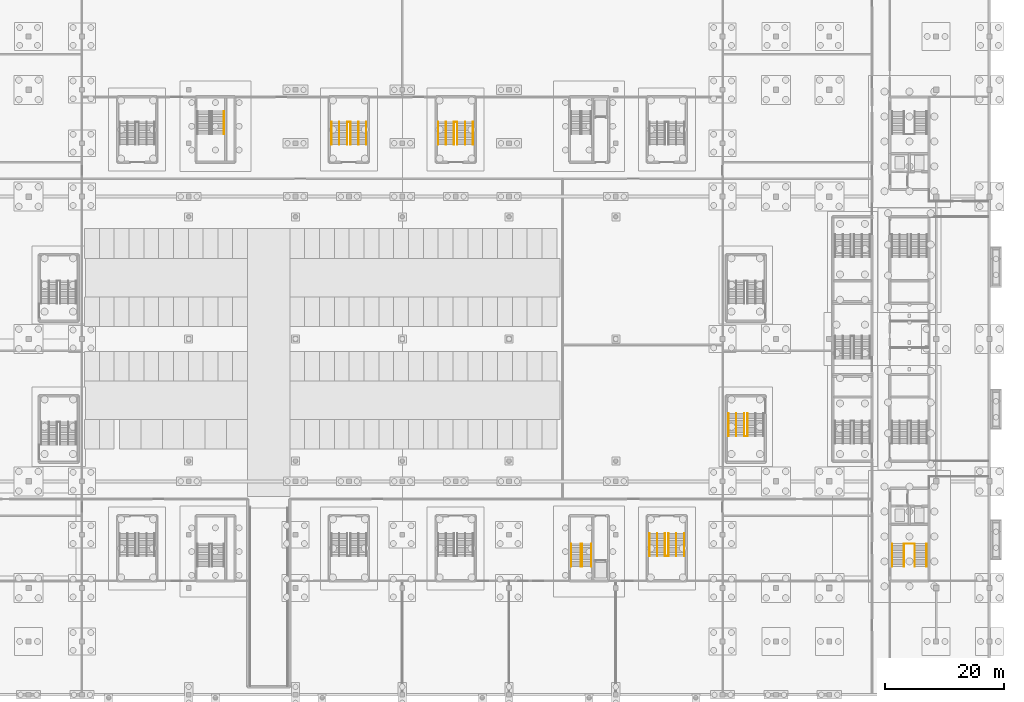
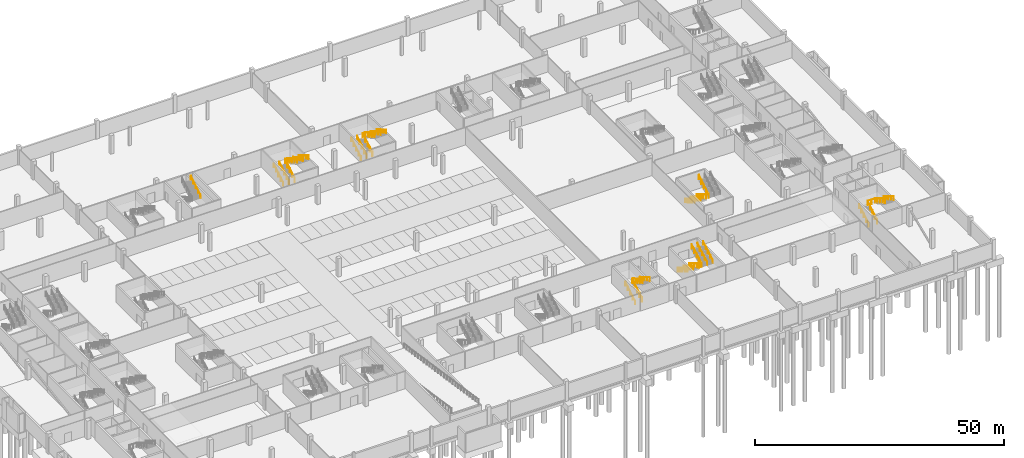
# One storey, part 42 of 46: 25 railings.
"""IFC4 building model written with IfcOpenShell, lengths in metres."""

from ifc_helpers import new_model, si_unit, direction, frame, origin, origin_2d, place, context, subcontext, project, spatial, circle, extrude, material, type_object, element, save


model = new_model("IFC4")

# Units and contexts
model_context = context("Model", 3, precision=1e-05, world=origin(), true_north=direction((0.0, 1.0)))
body_context = subcontext(model_context, "Body", "Model", "MODEL_VIEW")
ifc_project = project(units=[si_unit("LENGTHUNIT", "METRE"), si_unit("AREAUNIT", "SQUARE_METRE"), si_unit("VOLUMEUNIT", "CUBIC_METRE"), si_unit("PLANEANGLEUNIT", "RADIAN"), si_unit("MASSUNIT", "GRAM", prefix="KILO")], contexts=[model_context])

# Site, building, storey
site_placement = place(None, origin())
site = spatial("IfcSite", under=ifc_project, at=site_placement, CompositionType="ELEMENT")
building_placement = place(site_placement, origin())
building = spatial("IfcBuilding", under=site, at=building_placement, Name="Kisiwana Market Hall", CompositionType="ELEMENT")
storey_placement = place(building_placement, frame((0.0, 0.0, -4.5)))
storey = spatial("IfcBuildingStorey", under=building, at=storey_placement, Name="B1", CompositionType="ELEMENT", Elevation=-4.5)

# Railings
ifc_material_1 = material(Name="Steel S275", Category="steel")
railing_type_1 = type_object("IfcRailingType", Name="RL-GUARD-1100", PredefinedType="GUARDRAIL", material=ifc_material_1)
railing_1_placement = place(storey_placement, frame((183.60009765625, 21.6494140625, 0.0)))
element("IfcRailing", 1, at=railing_1_placement, inside=storey, type_object=railing_type_1, Name="Stair ST-E2-B1 inner-well guardrail (RL-019)", PredefinedType="GUARDRAIL", context=body_context, shape_type="SweptSolid", body=[
    extrude(circle(Radius=0.02392578125, at=origin_2d()), frame((0.0, 0.0, 1.076171875), z_axis=(0.0, 0.86252362769, 0.506016789916), x_axis=(-1.0, 0.0, 0.0)), (0.0, 0.0, 1.0), 4.446533203125),
    extrude(circle(Radius=0.02392578125, at=origin_2d()), frame((0.0, 3.835205078125, 3.326171875), z_axis=(1.0, 0.0, 0.0), x_axis=(0.0, 1.0, 0.0)), (0.0, 0.0, 1.0), 1.7998046875),
    extrude(circle(Radius=0.02392578125, at=origin_2d()), frame((1.7998046875, 3.835205078125, 3.326171875), z_axis=(0.0, -0.86252362769, 0.506016789916), x_axis=(1.0, 0.0, 0.0)), (0.0, 0.0, 1.0), 4.446533203125),
    extrude(circle(Radius=0.02099609375, at=origin_2d()), origin(), (0.0, 0.0, 1.0), 1.052001953125),
    extrude(circle(Radius=0.02099609375, at=origin_2d()), frame((0.0, 0.958740234375, 0.5625)), (0.0, 0.0, 1.0), 1.052001953125),
    extrude(circle(Radius=0.02099609375, at=origin_2d()), frame((0.0, 1.91748046875, 1.125)), (0.0, 0.0, 1.0), 1.052001953125),
    extrude(circle(Radius=0.02099609375, at=origin_2d()), frame((0.0, 2.87646484375, 1.6875)), (0.0, 0.0, 1.0), 1.052001953125),
    extrude(circle(Radius=0.02099609375, at=origin_2d()), frame((0.0, 3.835205078125, 2.25)), (0.0, 0.0, 1.0), 1.052001953125),
    extrude(circle(Radius=0.02099609375, at=origin_2d()), frame((0.89990234375, 3.835205078125, 2.25)), (0.0, 0.0, 1.0), 1.052001953125),
    extrude(circle(Radius=0.02099609375, at=origin_2d()), frame((1.7998046875, 3.835205078125, 2.25)), (0.0, 0.0, 1.0), 1.052001953125),
    extrude(circle(Radius=0.02099609375, at=origin_2d()), frame((1.7998046875, 2.87646484375, 2.8125)), (0.0, 0.0, 1.0), 1.052001953125),
    extrude(circle(Radius=0.02099609375, at=origin_2d()), frame((1.7998046875, 1.91748046875, 3.375)), (0.0, 0.0, 1.0), 1.052001953125),
    extrude(circle(Radius=0.02099609375, at=origin_2d()), frame((1.7998046875, 0.958740234375, 3.9375)), (0.0, 0.0, 1.0), 1.052001953125),
    extrude(circle(Radius=0.02099609375, at=origin_2d()), frame((1.7998046875, 0.0, 4.5)), (0.0, 0.0, 1.0), 1.052001953125),
])
railing_2_placement = place(storey_placement, frame((129.080078125, 21.62939453125, 0.0)))
element("IfcRailing", 2, at=railing_2_placement, inside=storey, type_object=railing_type_1, Name="Stair ST-S2-B1 inner-well guardrail (RL-028)", PredefinedType="GUARDRAIL", context=body_context, shape_type="SweptSolid", body=[
    extrude(circle(Radius=0.02392578125, at=origin_2d()), frame((0.0, 0.0, 1.076171875), z_axis=(0.0, 0.86252362769, 0.506016789916), x_axis=(-1.0, 0.0, 0.0)), (0.0, 0.0, 1.0), 4.446533203125),
    extrude(circle(Radius=0.02392578125, at=origin_2d()), frame((0.0, 3.835205078125, 3.326171875), z_axis=(1.0, 0.0, 0.0), x_axis=(0.0, 1.0, 0.0)), (0.0, 0.0, 1.0), 0.199951171875),
    extrude(circle(Radius=0.02392578125, at=origin_2d()), frame((0.199951171875, 3.835205078125, 3.326171875), z_axis=(0.0, -0.86252362769, 0.506016789916), x_axis=(1.0, 0.0, 0.0)), (0.0, 0.0, 1.0), 4.446533203125),
    extrude(circle(Radius=0.02099609375, at=origin_2d()), origin(), (0.0, 0.0, 1.0), 1.052001953125),
    extrude(circle(Radius=0.02099609375, at=origin_2d()), frame((0.0, 0.958740234375, 0.5625)), (0.0, 0.0, 1.0), 1.052001953125),
    extrude(circle(Radius=0.02099609375, at=origin_2d()), frame((0.0, 1.91748046875, 1.125)), (0.0, 0.0, 1.0), 1.052001953125),
    extrude(circle(Radius=0.02099609375, at=origin_2d()), frame((0.0, 2.87646484375, 1.6875)), (0.0, 0.0, 1.0), 1.052001953125),
    extrude(circle(Radius=0.02099609375, at=origin_2d()), frame((0.0, 3.835205078125, 2.25)), (0.0, 0.0, 1.0), 1.052001953125),
    extrude(circle(Radius=0.02099609375, at=origin_2d()), frame((0.199951171875, 3.835205078125, 2.25)), (0.0, 0.0, 1.0), 1.052001953125),
    extrude(circle(Radius=0.02099609375, at=origin_2d()), frame((0.199951171875, 2.87646484375, 2.8125)), (0.0, 0.0, 1.0), 1.052001953125),
    extrude(circle(Radius=0.02099609375, at=origin_2d()), frame((0.199951171875, 1.91748046875, 3.375)), (0.0, 0.0, 1.0), 1.052001953125),
    extrude(circle(Radius=0.02099609375, at=origin_2d()), frame((0.199951171875, 0.958740234375, 3.9375)), (0.0, 0.0, 1.0), 1.052001953125),
    extrude(circle(Radius=0.02099609375, at=origin_2d()), frame((0.199951171875, 0.0, 4.5)), (0.0, 0.0, 1.0), 1.052001953125),
])
railing_3_placement = place(storey_placement, frame((156.64990234375, 47.43994140625, 0.0)))
element("IfcRailing", 3, at=railing_3_placement, inside=storey, type_object=railing_type_1, Name="Stair ST-E9-B1 inner-well guardrail (RL-082)", PredefinedType="GUARDRAIL", context=body_context, shape_type="SweptSolid", body=[
    extrude(circle(Radius=0.02392578125, at=origin_2d()), frame((0.0, 0.0, 1.076171875), z_axis=(0.0, -0.86250956776, 0.506040754805), x_axis=(1.0, 0.0, 0.0)), (0.0, 0.0, 1.0), 4.4462890625),
    extrude(circle(Radius=0.02392578125, at=origin_2d()), frame((0.0, -3.8349609375, 3.326171875), z_axis=(1.0, 0.0, 0.0), x_axis=(0.0, 1.0, 0.0)), (0.0, 0.0, 1.0), 0.56005859375),
    extrude(circle(Radius=0.02392578125, at=origin_2d()), frame((0.56005859375, -3.8349609375, 3.326171875), z_axis=(0.0, 0.86250956776, 0.506040754805), x_axis=(-1.0, 0.0, 0.0)), (0.0, 0.0, 1.0), 4.4462890625),
    extrude(circle(Radius=0.02099609375, at=origin_2d()), origin(), (0.0, 0.0, 1.0), 1.052001953125),
    extrude(circle(Radius=0.02099609375, at=origin_2d()), frame((0.0, -0.958740234375, 0.5625)), (0.0, 0.0, 1.0), 1.052001953125),
    extrude(circle(Radius=0.02099609375, at=origin_2d()), frame((0.0, -1.91748046875, 1.125)), (0.0, 0.0, 1.0), 1.052001953125),
    extrude(circle(Radius=0.02099609375, at=origin_2d()), frame((0.0, -2.876220703125, 1.6875)), (0.0, 0.0, 1.0), 1.052001953125),
    extrude(circle(Radius=0.02099609375, at=origin_2d()), frame((0.0, -3.8349609375, 2.25)), (0.0, 0.0, 1.0), 1.052001953125),
    extrude(circle(Radius=0.02099609375, at=origin_2d()), frame((0.56005859375, -3.8349609375, 2.25)), (0.0, 0.0, 1.0), 1.052001953125),
    extrude(circle(Radius=0.02099609375, at=origin_2d()), frame((0.56005859375, -2.876220703125, 2.8125)), (0.0, 0.0, 1.0), 1.052001953125),
    extrude(circle(Radius=0.02099609375, at=origin_2d()), frame((0.56005859375, -1.91748046875, 3.375)), (0.0, 0.0, 1.0), 1.052001953125),
    extrude(circle(Radius=0.02099609375, at=origin_2d()), frame((0.56005859375, -0.958740234375, 3.9375)), (0.0, 0.0, 1.0), 1.052001953125),
    extrude(circle(Radius=0.02099609375, at=origin_2d()), frame((0.56005859375, 0.0, 4.5)), (0.0, 0.0, 1.0), 1.052001953125),
])
railing_4_placement = place(storey_placement, frame((89.719970703125, 92.760009765625, 0.0)))
element("IfcRailing", 4, at=railing_4_placement, inside=storey, type_object=railing_type_1, Name="Stair ST-N4-B1 inner-well guardrail (RL-122)", PredefinedType="GUARDRAIL", context=body_context, shape_type="SweptSolid", body=[
    extrude(circle(Radius=0.02392578125, at=origin_2d()), frame((0.0, 0.0, 1.076171875), z_axis=(0.0, 0.86250956776, 0.506040754805), x_axis=(-1.0, 0.0, 0.0)), (0.0, 0.0, 1.0), 4.4462890625),
    extrude(circle(Radius=0.02392578125, at=origin_2d()), frame((0.0, 3.8349609375, 3.326171875), z_axis=(1.0, 0.0, 0.0), x_axis=(0.0, 1.0, 0.0)), (0.0, 0.0, 1.0), 0.56005859375),
    extrude(circle(Radius=0.02392578125, at=origin_2d()), frame((0.56005859375, 3.8349609375, 3.326171875), z_axis=(0.0, -0.86250956776, 0.506040754805), x_axis=(1.0, 0.0, 0.0)), (0.0, 0.0, 1.0), 4.4462890625),
    extrude(circle(Radius=0.02099609375, at=origin_2d()), origin(), (0.0, 0.0, 1.0), 1.052001953125),
    extrude(circle(Radius=0.02099609375, at=origin_2d()), frame((0.0, 0.958740234375, 0.5625)), (0.0, 0.0, 1.0), 1.052001953125),
    extrude(circle(Radius=0.02099609375, at=origin_2d()), frame((0.0, 1.91748046875, 1.125)), (0.0, 0.0, 1.0), 1.052001953125),
    extrude(circle(Radius=0.02099609375, at=origin_2d()), frame((0.0, 2.876220703125, 1.6875)), (0.0, 0.0, 1.0), 1.052001953125),
    extrude(circle(Radius=0.02099609375, at=origin_2d()), frame((0.0, 3.8349609375, 2.25)), (0.0, 0.0, 1.0), 1.052001953125),
    extrude(circle(Radius=0.02099609375, at=origin_2d()), frame((0.56005859375, 3.8349609375, 2.25)), (0.0, 0.0, 1.0), 1.052001953125),
    extrude(circle(Radius=0.02099609375, at=origin_2d()), frame((0.56005859375, 2.876220703125, 2.8125)), (0.0, 0.0, 1.0), 1.052001953125),
    extrude(circle(Radius=0.02099609375, at=origin_2d()), frame((0.56005859375, 1.91748046875, 3.375)), (0.0, 0.0, 1.0), 1.052001953125),
    extrude(circle(Radius=0.02099609375, at=origin_2d()), frame((0.56005859375, 0.958740234375, 3.9375)), (0.0, 0.0, 1.0), 1.052001953125),
    extrude(circle(Radius=0.02099609375, at=origin_2d()), frame((0.56005859375, 0.0, 4.5)), (0.0, 0.0, 1.0), 1.052001953125),
])
railing_5_placement = place(storey_placement, frame((107.719970703125, 92.760009765625, 0.0)))
element("IfcRailing", 5, at=railing_5_placement, inside=storey, type_object=railing_type_1, Name="Stair ST-N5-B1 inner-well guardrail (RL-132)", PredefinedType="GUARDRAIL", context=body_context, shape_type="SweptSolid", body=[
    extrude(circle(Radius=0.02392578125, at=origin_2d()), frame((0.0, 0.0, 1.076171875), z_axis=(0.0, 0.86250956776, 0.506040754805), x_axis=(-1.0, 0.0, 0.0)), (0.0, 0.0, 1.0), 4.4462890625),
    extrude(circle(Radius=0.02392578125, at=origin_2d()), frame((0.0, 3.8349609375, 3.326171875), z_axis=(1.0, 0.0, 0.0), x_axis=(0.0, 1.0, 0.0)), (0.0, 0.0, 1.0), 0.56005859375),
    extrude(circle(Radius=0.02392578125, at=origin_2d()), frame((0.56005859375, 3.8349609375, 3.326171875), z_axis=(0.0, -0.86250956776, 0.506040754805), x_axis=(1.0, 0.0, 0.0)), (0.0, 0.0, 1.0), 4.4462890625),
    extrude(circle(Radius=0.02099609375, at=origin_2d()), origin(), (0.0, 0.0, 1.0), 1.052001953125),
    extrude(circle(Radius=0.02099609375, at=origin_2d()), frame((0.0, 0.958740234375, 0.5625)), (0.0, 0.0, 1.0), 1.052001953125),
    extrude(circle(Radius=0.02099609375, at=origin_2d()), frame((0.0, 1.91748046875, 1.125)), (0.0, 0.0, 1.0), 1.052001953125),
    extrude(circle(Radius=0.02099609375, at=origin_2d()), frame((0.0, 2.876220703125, 1.6875)), (0.0, 0.0, 1.0), 1.052001953125),
    extrude(circle(Radius=0.02099609375, at=origin_2d()), frame((0.0, 3.8349609375, 2.25)), (0.0, 0.0, 1.0), 1.052001953125),
    extrude(circle(Radius=0.02099609375, at=origin_2d()), frame((0.56005859375, 3.8349609375, 2.25)), (0.0, 0.0, 1.0), 1.052001953125),
    extrude(circle(Radius=0.02099609375, at=origin_2d()), frame((0.56005859375, 2.876220703125, 2.8125)), (0.0, 0.0, 1.0), 1.052001953125),
    extrude(circle(Radius=0.02099609375, at=origin_2d()), frame((0.56005859375, 1.91748046875, 3.375)), (0.0, 0.0, 1.0), 1.052001953125),
    extrude(circle(Radius=0.02099609375, at=origin_2d()), frame((0.56005859375, 0.958740234375, 3.9375)), (0.0, 0.0, 1.0), 1.052001953125),
    extrude(circle(Radius=0.02099609375, at=origin_2d()), frame((0.56005859375, 0.0, 4.5)), (0.0, 0.0, 1.0), 1.052001953125),
])
railing_6_placement = place(storey_placement, frame((143.320068359375, 27.239990234375, 0.0)))
element("IfcRailing", 6, at=railing_6_placement, inside=storey, type_object=railing_type_1, Name="Stair ST-S6-B1 inner-well guardrail (RL-137)", PredefinedType="GUARDRAIL", context=body_context, shape_type="SweptSolid", body=[
    extrude(circle(Radius=0.02392578125, at=origin_2d()), frame((0.0, 0.0, 1.076171875), z_axis=(0.0, -0.86250956776, 0.506040754805), x_axis=(1.0, 0.0, 0.0)), (0.0, 0.0, 1.0), 4.4462890625),
    extrude(circle(Radius=0.02392578125, at=origin_2d()), frame((0.0, -3.8349609375, 3.326171875), z_axis=(1.0, 0.0, 0.0), x_axis=(0.0, 1.0, 0.0)), (0.0, 0.0, 1.0), 0.559814453125),
    extrude(circle(Radius=0.02392578125, at=origin_2d()), frame((0.559814453125, -3.8349609375, 3.326171875), z_axis=(0.0, 0.86250956776, 0.506040754805), x_axis=(-1.0, 0.0, 0.0)), (0.0, 0.0, 1.0), 4.4462890625),
    extrude(circle(Radius=0.02099609375, at=origin_2d()), origin(), (0.0, 0.0, 1.0), 1.052001953125),
    extrude(circle(Radius=0.02099609375, at=origin_2d()), frame((0.0, -0.958740234375, 0.5625)), (0.0, 0.0, 1.0), 1.052001953125),
    extrude(circle(Radius=0.02099609375, at=origin_2d()), frame((0.0, -1.91748046875, 1.125)), (0.0, 0.0, 1.0), 1.052001953125),
    extrude(circle(Radius=0.02099609375, at=origin_2d()), frame((0.0, -2.876220703125, 1.6875)), (0.0, 0.0, 1.0), 1.052001953125),
    extrude(circle(Radius=0.02099609375, at=origin_2d()), frame((0.0, -3.8349609375, 2.25)), (0.0, 0.0, 1.0), 1.052001953125),
    extrude(circle(Radius=0.02099609375, at=origin_2d()), frame((0.559814453125, -3.8349609375, 2.25)), (0.0, 0.0, 1.0), 1.052001953125),
    extrude(circle(Radius=0.02099609375, at=origin_2d()), frame((0.559814453125, -2.876220703125, 2.8125)), (0.0, 0.0, 1.0), 1.052001953125),
    extrude(circle(Radius=0.02099609375, at=origin_2d()), frame((0.559814453125, -1.91748046875, 3.375)), (0.0, 0.0, 1.0), 1.052001953125),
    extrude(circle(Radius=0.02099609375, at=origin_2d()), frame((0.559814453125, -0.958740234375, 3.9375)), (0.0, 0.0, 1.0), 1.052001953125),
    extrude(circle(Radius=0.02099609375, at=origin_2d()), frame((0.559814453125, 0.0, 4.5)), (0.0, 0.0, 1.0), 1.052001953125),
])
ifc_material_2 = material(Name="Steel S275", Category="steel")
railing_type_2 = type_object("IfcRailingType", Name="RL-HAND-900", PredefinedType="HANDRAIL", material=ifc_material_2)
railing_7_placement = place(storey_placement, frame((181.610107421875, 21.6494140625, 0.0)))
element("IfcRailing", 7, at=railing_7_placement, inside=storey, type_object=railing_type_2, Name="Stair ST-E2-B1 flight 1 handrail (RL-020)", PredefinedType="HANDRAIL", context=body_context, shape_type="SweptSolid", body=[
    extrude(circle(Radius=0.02392578125, at=origin_2d()), frame((0.0, 0.0, 0.8759765625), z_axis=(0.0, 0.86252362769, 0.506016789916), x_axis=(-1.0, 0.0, 0.0)), (0.0, 0.0, 1.0), 4.446533203125),
    extrude(circle(Radius=0.02099609375, at=origin_2d()), origin(), (0.0, 0.0, 1.0), 0.851806640625),
    extrude(circle(Radius=0.02099609375, at=origin_2d()), frame((0.0, 0.958740234375, 0.5625)), (0.0, 0.0, 1.0), 0.851806640625),
    extrude(circle(Radius=0.02099609375, at=origin_2d()), frame((0.0, 1.91748046875, 1.125)), (0.0, 0.0, 1.0), 0.851806640625),
    extrude(circle(Radius=0.02099609375, at=origin_2d()), frame((0.0, 2.87646484375, 1.6875)), (0.0, 0.0, 1.0), 0.851806640625),
    extrude(circle(Radius=0.02099609375, at=origin_2d()), frame((0.0, 3.835205078125, 2.25)), (0.0, 0.0, 1.0), 0.851806640625),
])
railing_8_placement = place(storey_placement, frame((187.389892578125, 25.484619140625, 2.25)))
element("IfcRailing", 8, at=railing_8_placement, inside=storey, type_object=railing_type_2, Name="Stair ST-E2-B1 flight 2 handrail (RL-021)", PredefinedType="HANDRAIL", context=body_context, shape_type="SweptSolid", body=[
    extrude(circle(Radius=0.02392578125, at=origin_2d()), frame((0.0, 0.0, 0.8759765625), z_axis=(0.0, -0.86252362769, 0.506016789916), x_axis=(1.0, 0.0, 0.0)), (0.0, 0.0, 1.0), 4.446533203125),
    extrude(circle(Radius=0.02099609375, at=origin_2d()), origin(), (0.0, 0.0, 1.0), 0.851806640625),
    extrude(circle(Radius=0.02099609375, at=origin_2d()), frame((0.0, -0.958740234375, 0.5625)), (0.0, 0.0, 1.0), 0.851806640625),
    extrude(circle(Radius=0.02099609375, at=origin_2d()), frame((0.0, -1.91748046875, 1.125)), (0.0, 0.0, 1.0), 0.851806640625),
    extrude(circle(Radius=0.02099609375, at=origin_2d()), frame((0.0, -2.87646484375, 1.6875)), (0.0, 0.0, 1.0), 0.851806640625),
    extrude(circle(Radius=0.02099609375, at=origin_2d()), frame((0.0, -3.835205078125, 2.25)), (0.0, 0.0, 1.0), 0.851806640625),
])
railing_9_placement = place(storey_placement, frame((127.5, 21.62939453125, 0.0)))
element("IfcRailing", 9, at=railing_9_placement, inside=storey, type_object=railing_type_2, Name="Stair ST-S2-B1 flight 1 handrail (RL-029)", PredefinedType="HANDRAIL", context=body_context, shape_type="SweptSolid", body=[
    extrude(circle(Radius=0.02392578125, at=origin_2d()), frame((0.0, 0.0, 0.8759765625), z_axis=(0.0, 0.86252362769, 0.506016789916), x_axis=(-1.0, 0.0, 0.0)), (0.0, 0.0, 1.0), 4.446533203125),
    extrude(circle(Radius=0.02099609375, at=origin_2d()), origin(), (0.0, 0.0, 1.0), 0.851806640625),
    extrude(circle(Radius=0.02099609375, at=origin_2d()), frame((0.0, 0.958740234375, 0.5625)), (0.0, 0.0, 1.0), 0.851806640625),
    extrude(circle(Radius=0.02099609375, at=origin_2d()), frame((0.0, 1.91748046875, 1.125)), (0.0, 0.0, 1.0), 0.851806640625),
    extrude(circle(Radius=0.02099609375, at=origin_2d()), frame((0.0, 2.87646484375, 1.6875)), (0.0, 0.0, 1.0), 0.851806640625),
    extrude(circle(Radius=0.02099609375, at=origin_2d()), frame((0.0, 3.835205078125, 2.25)), (0.0, 0.0, 1.0), 0.851806640625),
])
railing_10_placement = place(storey_placement, frame((130.860107421875, 25.464599609375, 2.25)))
element("IfcRailing", 10, at=railing_10_placement, inside=storey, type_object=railing_type_2, Name="Stair ST-S2-B1 flight 2 handrail (RL-030)", PredefinedType="HANDRAIL", context=body_context, shape_type="SweptSolid", body=[
    extrude(circle(Radius=0.02392578125, at=origin_2d()), frame((0.0, 0.0, 0.8759765625), z_axis=(0.0, -0.86252362769, 0.506016789916), x_axis=(1.0, 0.0, 0.0)), (0.0, 0.0, 1.0), 4.446533203125),
    extrude(circle(Radius=0.02099609375, at=origin_2d()), origin(), (0.0, 0.0, 1.0), 0.851806640625),
    extrude(circle(Radius=0.02099609375, at=origin_2d()), frame((0.0, -0.958740234375, 0.5625)), (0.0, 0.0, 1.0), 0.851806640625),
    extrude(circle(Radius=0.02099609375, at=origin_2d()), frame((0.0, -1.91748046875, 1.125)), (0.0, 0.0, 1.0), 0.851806640625),
    extrude(circle(Radius=0.02099609375, at=origin_2d()), frame((0.0, -2.87646484375, 1.6875)), (0.0, 0.0, 1.0), 0.851806640625),
    extrude(circle(Radius=0.02099609375, at=origin_2d()), frame((0.0, -3.835205078125, 2.25)), (0.0, 0.0, 1.0), 0.851806640625),
])
railing_11_placement = place(storey_placement, frame((68.93994140625, 94.555419921875, 2.25)))
element("IfcRailing", 11, at=railing_11_placement, inside=storey, type_object=railing_type_2, Name="Stair ST-N1-B1 flight 2 handrail (RL-033)", PredefinedType="HANDRAIL", context=body_context, shape_type="SweptSolid", body=[
    extrude(circle(Radius=0.02392578125, at=origin_2d()), frame((0.0, 0.0, 0.8759765625), z_axis=(0.0, 0.86250956776, 0.506040754805), x_axis=(-1.0, 0.0, 0.0)), (0.0, 0.0, 1.0), 4.4462890625),
    extrude(circle(Radius=0.02099609375, at=origin_2d()), origin(), (0.0, 0.0, 1.0), 0.851806640625),
    extrude(circle(Radius=0.02099609375, at=origin_2d()), frame((0.0, 0.958740234375, 0.5625)), (0.0, 0.0, 1.0), 0.851806640625),
    extrude(circle(Radius=0.02099609375, at=origin_2d()), frame((0.0, 1.91748046875, 1.125)), (0.0, 0.0, 1.0), 0.851806640625),
    extrude(circle(Radius=0.02099609375, at=origin_2d()), frame((0.0, 2.876220703125, 1.6875)), (0.0, 0.0, 1.0), 0.851806640625),
    extrude(circle(Radius=0.02099609375, at=origin_2d()), frame((0.0, 3.8349609375, 2.25)), (0.0, 0.0, 1.0), 0.851806640625),
])
for number, where, name in (
    (12, (154.0, 47.43994140625, 0.0), "Stair ST-E9-B1 flight 1 handrail (RL-083)"),
    (13, (155.320068359375, 47.43994140625, 0.0), "Stair ST-E9-B1 flight 1 intermediate handrail (RL-085)"),
):
    element("IfcRailing", number, at=place(storey_placement, frame(where)), inside=storey, type_object=railing_type_2, Name=name, PredefinedType="HANDRAIL", context=body_context, shape_type="SweptSolid", body=[
        extrude(circle(Radius=0.02392578125, at=origin_2d()), frame((0.0, 0.0, 0.8759765625), z_axis=(0.0, -0.86250956776, 0.506040754805), x_axis=(1.0, 0.0, 0.0)), (0.0, 0.0, 1.0), 4.4462890625),
        extrude(circle(Radius=0.02099609375, at=origin_2d()), origin(), (0.0, 0.0, 1.0), 0.851806640625),
        extrude(circle(Radius=0.02099609375, at=origin_2d()), frame((0.0, -0.958740234375, 0.5625)), (0.0, 0.0, 1.0), 0.851806640625),
        extrude(circle(Radius=0.02099609375, at=origin_2d()), frame((0.0, -1.91748046875, 1.125)), (0.0, 0.0, 1.0), 0.851806640625),
        extrude(circle(Radius=0.02099609375, at=origin_2d()), frame((0.0, -2.876220703125, 1.6875)), (0.0, 0.0, 1.0), 0.851806640625),
        extrude(circle(Radius=0.02099609375, at=origin_2d()), frame((0.0, -3.8349609375, 2.25)), (0.0, 0.0, 1.0), 0.851806640625),
    ])
railing_12_placement = place(storey_placement, frame((87.070068359375, 92.760009765625, 0.0)))
element("IfcRailing", 14, at=railing_12_placement, inside=storey, type_object=railing_type_2, Name="Stair ST-N4-B1 flight 1 handrail (RL-123)", PredefinedType="HANDRAIL", context=body_context, shape_type="SweptSolid", body=[
    extrude(circle(Radius=0.02392578125, at=origin_2d()), frame((0.0, 0.0, 0.8759765625), z_axis=(0.0, 0.86250956776, 0.506040754805), x_axis=(-1.0, 0.0, 0.0)), (0.0, 0.0, 1.0), 4.4462890625),
    extrude(circle(Radius=0.02099609375, at=origin_2d()), origin(), (0.0, 0.0, 1.0), 0.851806640625),
    extrude(circle(Radius=0.02099609375, at=origin_2d()), frame((0.0, 0.958740234375, 0.5625)), (0.0, 0.0, 1.0), 0.851806640625),
    extrude(circle(Radius=0.02099609375, at=origin_2d()), frame((0.0, 1.91748046875, 1.125)), (0.0, 0.0, 1.0), 0.851806640625),
    extrude(circle(Radius=0.02099609375, at=origin_2d()), frame((0.0, 2.876220703125, 1.6875)), (0.0, 0.0, 1.0), 0.851806640625),
    extrude(circle(Radius=0.02099609375, at=origin_2d()), frame((0.0, 3.8349609375, 2.25)), (0.0, 0.0, 1.0), 0.851806640625),
])
railing_13_placement = place(storey_placement, frame((92.929931640625, 96.594970703125, 2.25)))
element("IfcRailing", 15, at=railing_13_placement, inside=storey, type_object=railing_type_2, Name="Stair ST-N4-B1 flight 2 handrail (RL-124)", PredefinedType="HANDRAIL", context=body_context, shape_type="SweptSolid", body=[
    extrude(circle(Radius=0.02392578125, at=origin_2d()), frame((0.0, 0.0, 0.8759765625), z_axis=(0.0, -0.86250956776, 0.506040754805), x_axis=(1.0, 0.0, 0.0)), (0.0, 0.0, 1.0), 4.4462890625),
    extrude(circle(Radius=0.02099609375, at=origin_2d()), origin(), (0.0, 0.0, 1.0), 0.851806640625),
    extrude(circle(Radius=0.02099609375, at=origin_2d()), frame((0.0, -0.958740234375, 0.5625)), (0.0, 0.0, 1.0), 0.851806640625),
    extrude(circle(Radius=0.02099609375, at=origin_2d()), frame((0.0, -1.91748046875, 1.125)), (0.0, 0.0, 1.0), 0.851806640625),
    extrude(circle(Radius=0.02099609375, at=origin_2d()), frame((0.0, -2.876220703125, 1.6875)), (0.0, 0.0, 1.0), 0.851806640625),
    extrude(circle(Radius=0.02099609375, at=origin_2d()), frame((0.0, -3.8349609375, 2.25)), (0.0, 0.0, 1.0), 0.851806640625),
])
railing_14_placement = place(storey_placement, frame((88.389892578125, 92.760009765625, 0.0)))
element("IfcRailing", 16, at=railing_14_placement, inside=storey, type_object=railing_type_2, Name="Stair ST-N4-B1 flight 1 intermediate handrail (RL-125)", PredefinedType="HANDRAIL", context=body_context, shape_type="SweptSolid", body=[
    extrude(circle(Radius=0.02392578125, at=origin_2d()), frame((0.0, 0.0, 0.8759765625), z_axis=(0.0, 0.86250956776, 0.506040754805), x_axis=(-1.0, 0.0, 0.0)), (0.0, 0.0, 1.0), 4.4462890625),
    extrude(circle(Radius=0.02099609375, at=origin_2d()), origin(), (0.0, 0.0, 1.0), 0.851806640625),
    extrude(circle(Radius=0.02099609375, at=origin_2d()), frame((0.0, 0.958740234375, 0.5625)), (0.0, 0.0, 1.0), 0.851806640625),
    extrude(circle(Radius=0.02099609375, at=origin_2d()), frame((0.0, 1.91748046875, 1.125)), (0.0, 0.0, 1.0), 0.851806640625),
    extrude(circle(Radius=0.02099609375, at=origin_2d()), frame((0.0, 2.876220703125, 1.6875)), (0.0, 0.0, 1.0), 0.851806640625),
    extrude(circle(Radius=0.02099609375, at=origin_2d()), frame((0.0, 3.8349609375, 2.25)), (0.0, 0.0, 1.0), 0.851806640625),
])
railing_15_placement = place(storey_placement, frame((91.610107421875, 96.594970703125, 2.25)))
element("IfcRailing", 17, at=railing_15_placement, inside=storey, type_object=railing_type_2, Name="Stair ST-N4-B1 flight 2 intermediate handrail (RL-126)", PredefinedType="HANDRAIL", context=body_context, shape_type="SweptSolid", body=[
    extrude(circle(Radius=0.02392578125, at=origin_2d()), frame((0.0, 0.0, 0.8759765625), z_axis=(0.0, -0.86250956776, 0.506040754805), x_axis=(1.0, 0.0, 0.0)), (0.0, 0.0, 1.0), 4.4462890625),
    extrude(circle(Radius=0.02099609375, at=origin_2d()), origin(), (0.0, 0.0, 1.0), 0.851806640625),
    extrude(circle(Radius=0.02099609375, at=origin_2d()), frame((0.0, -0.958740234375, 0.5625)), (0.0, 0.0, 1.0), 0.851806640625),
    extrude(circle(Radius=0.02099609375, at=origin_2d()), frame((0.0, -1.91748046875, 1.125)), (0.0, 0.0, 1.0), 0.851806640625),
    extrude(circle(Radius=0.02099609375, at=origin_2d()), frame((0.0, -2.876220703125, 1.6875)), (0.0, 0.0, 1.0), 0.851806640625),
    extrude(circle(Radius=0.02099609375, at=origin_2d()), frame((0.0, -3.8349609375, 2.25)), (0.0, 0.0, 1.0), 0.851806640625),
])
railing_16_placement = place(storey_placement, frame((105.070068359375, 92.760009765625, 0.0)))
element("IfcRailing", 18, at=railing_16_placement, inside=storey, type_object=railing_type_2, Name="Stair ST-N5-B1 flight 1 handrail (RL-133)", PredefinedType="HANDRAIL", context=body_context, shape_type="SweptSolid", body=[
    extrude(circle(Radius=0.02392578125, at=origin_2d()), frame((0.0, 0.0, 0.8759765625), z_axis=(0.0, 0.86250956776, 0.506040754805), x_axis=(-1.0, 0.0, 0.0)), (0.0, 0.0, 1.0), 4.4462890625),
    extrude(circle(Radius=0.02099609375, at=origin_2d()), origin(), (0.0, 0.0, 1.0), 0.851806640625),
    extrude(circle(Radius=0.02099609375, at=origin_2d()), frame((0.0, 0.958740234375, 0.5625)), (0.0, 0.0, 1.0), 0.851806640625),
    extrude(circle(Radius=0.02099609375, at=origin_2d()), frame((0.0, 1.91748046875, 1.125)), (0.0, 0.0, 1.0), 0.851806640625),
    extrude(circle(Radius=0.02099609375, at=origin_2d()), frame((0.0, 2.876220703125, 1.6875)), (0.0, 0.0, 1.0), 0.851806640625),
    extrude(circle(Radius=0.02099609375, at=origin_2d()), frame((0.0, 3.8349609375, 2.25)), (0.0, 0.0, 1.0), 0.851806640625),
])
railing_17_placement = place(storey_placement, frame((110.929931640625, 96.594970703125, 2.25)))
element("IfcRailing", 19, at=railing_17_placement, inside=storey, type_object=railing_type_2, Name="Stair ST-N5-B1 flight 2 handrail (RL-134)", PredefinedType="HANDRAIL", context=body_context, shape_type="SweptSolid", body=[
    extrude(circle(Radius=0.02392578125, at=origin_2d()), frame((0.0, 0.0, 0.8759765625), z_axis=(0.0, -0.86250956776, 0.506040754805), x_axis=(1.0, 0.0, 0.0)), (0.0, 0.0, 1.0), 4.4462890625),
    extrude(circle(Radius=0.02099609375, at=origin_2d()), origin(), (0.0, 0.0, 1.0), 0.851806640625),
    extrude(circle(Radius=0.02099609375, at=origin_2d()), frame((0.0, -0.958740234375, 0.5625)), (0.0, 0.0, 1.0), 0.851806640625),
    extrude(circle(Radius=0.02099609375, at=origin_2d()), frame((0.0, -1.91748046875, 1.125)), (0.0, 0.0, 1.0), 0.851806640625),
    extrude(circle(Radius=0.02099609375, at=origin_2d()), frame((0.0, -2.876220703125, 1.6875)), (0.0, 0.0, 1.0), 0.851806640625),
    extrude(circle(Radius=0.02099609375, at=origin_2d()), frame((0.0, -3.8349609375, 2.25)), (0.0, 0.0, 1.0), 0.851806640625),
])
railing_18_placement = place(storey_placement, frame((106.389892578125, 92.760009765625, 0.0)))
element("IfcRailing", 20, at=railing_18_placement, inside=storey, type_object=railing_type_2, Name="Stair ST-N5-B1 flight 1 intermediate handrail (RL-135)", PredefinedType="HANDRAIL", context=body_context, shape_type="SweptSolid", body=[
    extrude(circle(Radius=0.02392578125, at=origin_2d()), frame((0.0, 0.0, 0.8759765625), z_axis=(0.0, 0.86250956776, 0.506040754805), x_axis=(-1.0, 0.0, 0.0)), (0.0, 0.0, 1.0), 4.4462890625),
    extrude(circle(Radius=0.02099609375, at=origin_2d()), origin(), (0.0, 0.0, 1.0), 0.851806640625),
    extrude(circle(Radius=0.02099609375, at=origin_2d()), frame((0.0, 0.958740234375, 0.5625)), (0.0, 0.0, 1.0), 0.851806640625),
    extrude(circle(Radius=0.02099609375, at=origin_2d()), frame((0.0, 1.91748046875, 1.125)), (0.0, 0.0, 1.0), 0.851806640625),
    extrude(circle(Radius=0.02099609375, at=origin_2d()), frame((0.0, 2.876220703125, 1.6875)), (0.0, 0.0, 1.0), 0.851806640625),
    extrude(circle(Radius=0.02099609375, at=origin_2d()), frame((0.0, 3.8349609375, 2.25)), (0.0, 0.0, 1.0), 0.851806640625),
])
for number, where, name in (
    (21, (109.610107421875, 96.594970703125, 2.25), "Stair ST-N5-B1 flight 2 intermediate handrail (RL-136)"),
    (22, (140.669921875, 27.239990234375, 0.0), "Stair ST-S6-B1 flight 1 handrail (RL-138)"),
):
    element("IfcRailing", number, at=place(storey_placement, frame(where)), inside=storey, type_object=railing_type_2, Name=name, PredefinedType="HANDRAIL", context=body_context, shape_type="SweptSolid", body=[
        extrude(circle(Radius=0.02392578125, at=origin_2d()), frame((0.0, 0.0, 0.8759765625), z_axis=(0.0, -0.86250956776, 0.506040754805), x_axis=(1.0, 0.0, 0.0)), (0.0, 0.0, 1.0), 4.4462890625),
        extrude(circle(Radius=0.02099609375, at=origin_2d()), origin(), (0.0, 0.0, 1.0), 0.851806640625),
        extrude(circle(Radius=0.02099609375, at=origin_2d()), frame((0.0, -0.958740234375, 0.5625)), (0.0, 0.0, 1.0), 0.851806640625),
        extrude(circle(Radius=0.02099609375, at=origin_2d()), frame((0.0, -1.91748046875, 1.125)), (0.0, 0.0, 1.0), 0.851806640625),
        extrude(circle(Radius=0.02099609375, at=origin_2d()), frame((0.0, -2.876220703125, 1.6875)), (0.0, 0.0, 1.0), 0.851806640625),
        extrude(circle(Radius=0.02099609375, at=origin_2d()), frame((0.0, -3.8349609375, 2.25)), (0.0, 0.0, 1.0), 0.851806640625),
    ])
railing_19_placement = place(storey_placement, frame((146.530029296875, 23.405029296875, 2.25)))
element("IfcRailing", 23, at=railing_19_placement, inside=storey, type_object=railing_type_2, Name="Stair ST-S6-B1 flight 2 handrail (RL-139)", PredefinedType="HANDRAIL", context=body_context, shape_type="SweptSolid", body=[
    extrude(circle(Radius=0.02392578125, at=origin_2d()), frame((0.0, 0.0, 0.8759765625), z_axis=(0.0, 0.86250956776, 0.506040754805), x_axis=(-1.0, 0.0, 0.0)), (0.0, 0.0, 1.0), 4.4462890625),
    extrude(circle(Radius=0.02099609375, at=origin_2d()), origin(), (0.0, 0.0, 1.0), 0.851806640625),
    extrude(circle(Radius=0.02099609375, at=origin_2d()), frame((0.0, 0.958740234375, 0.5625)), (0.0, 0.0, 1.0), 0.851806640625),
    extrude(circle(Radius=0.02099609375, at=origin_2d()), frame((0.0, 1.91748046875, 1.125)), (0.0, 0.0, 1.0), 0.851806640625),
    extrude(circle(Radius=0.02099609375, at=origin_2d()), frame((0.0, 2.876220703125, 1.6875)), (0.0, 0.0, 1.0), 0.851806640625),
    extrude(circle(Radius=0.02099609375, at=origin_2d()), frame((0.0, 3.8349609375, 2.25)), (0.0, 0.0, 1.0), 0.851806640625),
])
railing_20_placement = place(storey_placement, frame((141.989990234375, 27.239990234375, 0.0)))
element("IfcRailing", 24, at=railing_20_placement, inside=storey, type_object=railing_type_2, Name="Stair ST-S6-B1 flight 1 intermediate handrail (RL-140)", PredefinedType="HANDRAIL", context=body_context, shape_type="SweptSolid", body=[
    extrude(circle(Radius=0.02392578125, at=origin_2d()), frame((0.0, 0.0, 0.8759765625), z_axis=(0.0, -0.86250956776, 0.506040754805), x_axis=(1.0, 0.0, 0.0)), (0.0, 0.0, 1.0), 4.4462890625),
    extrude(circle(Radius=0.02099609375, at=origin_2d()), origin(), (0.0, 0.0, 1.0), 0.851806640625),
    extrude(circle(Radius=0.02099609375, at=origin_2d()), frame((0.0, -0.958740234375, 0.5625)), (0.0, 0.0, 1.0), 0.851806640625),
    extrude(circle(Radius=0.02099609375, at=origin_2d()), frame((0.0, -1.91748046875, 1.125)), (0.0, 0.0, 1.0), 0.851806640625),
    extrude(circle(Radius=0.02099609375, at=origin_2d()), frame((0.0, -2.876220703125, 1.6875)), (0.0, 0.0, 1.0), 0.851806640625),
    extrude(circle(Radius=0.02099609375, at=origin_2d()), frame((0.0, -3.8349609375, 2.25)), (0.0, 0.0, 1.0), 0.851806640625),
])
railing_21_placement = place(storey_placement, frame((145.2099609375, 23.405029296875, 2.25)))
element("IfcRailing", 25, at=railing_21_placement, inside=storey, type_object=railing_type_2, Name="Stair ST-S6-B1 flight 2 intermediate handrail (RL-141)", PredefinedType="HANDRAIL", context=body_context, shape_type="SweptSolid", body=[
    extrude(circle(Radius=0.02392578125, at=origin_2d()), frame((0.0, 0.0, 0.8759765625), z_axis=(0.0, 0.86250956776, 0.506040754805), x_axis=(-1.0, 0.0, 0.0)), (0.0, 0.0, 1.0), 4.4462890625),
    extrude(circle(Radius=0.02099609375, at=origin_2d()), origin(), (0.0, 0.0, 1.0), 0.851806640625),
    extrude(circle(Radius=0.02099609375, at=origin_2d()), frame((0.0, 0.958740234375, 0.5625)), (0.0, 0.0, 1.0), 0.851806640625),
    extrude(circle(Radius=0.02099609375, at=origin_2d()), frame((0.0, 1.91748046875, 1.125)), (0.0, 0.0, 1.0), 0.851806640625),
    extrude(circle(Radius=0.02099609375, at=origin_2d()), frame((0.0, 2.876220703125, 1.6875)), (0.0, 0.0, 1.0), 0.851806640625),
    extrude(circle(Radius=0.02099609375, at=origin_2d()), frame((0.0, 3.8349609375, 2.25)), (0.0, 0.0, 1.0), 0.851806640625),
])

save(model, "model.ifc")
